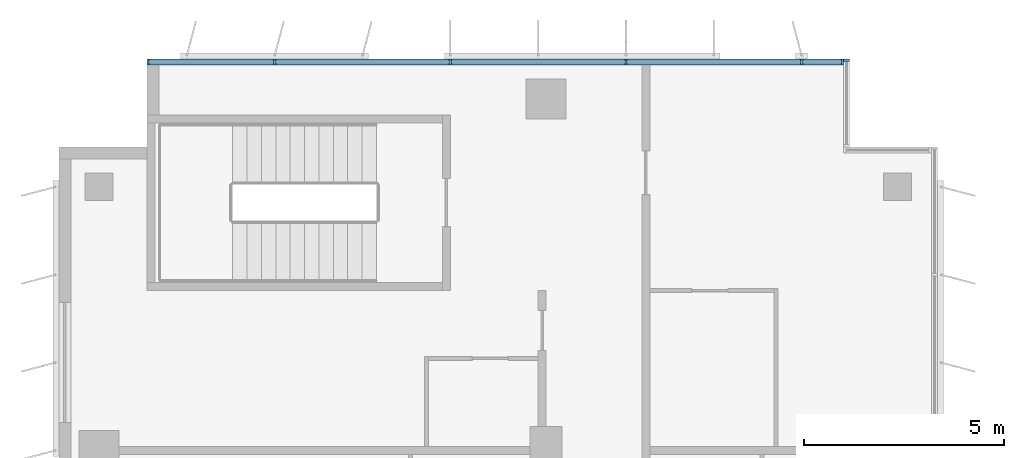
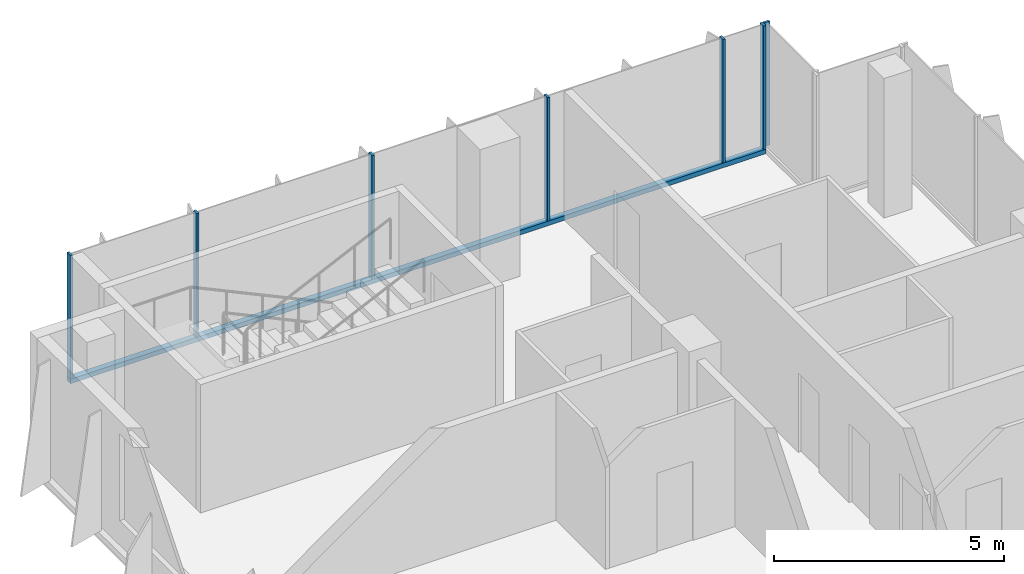
# One storey, part 9 of 21: 8 members, 2 elements without a shape of their own.
"""IFC4 building model written with IfcOpenShell, lengths in metres."""

from ifc_helpers import new_model, si_unit, direction, frame, origin, origin_2d, place, context, subcontext, project, spatial, rectangle, extrude, source, transform, mapped, material, material_profile, profile_set, type_object, element, aggregate, save


model = new_model("IFC4")

# Units and contexts
model_context = context("Model", 3, precision=1e-05, world=origin(), true_north=direction((0.0, 1.0)))
body_context = subcontext(model_context, "Body", "Model", "MODEL_VIEW")
ifc_project = project(units=[si_unit("LENGTHUNIT", "METRE"), si_unit("AREAUNIT", "SQUARE_METRE"), si_unit("VOLUMEUNIT", "CUBIC_METRE"), si_unit("PLANEANGLEUNIT", "RADIAN"), si_unit("MASSUNIT", "GRAM", prefix="KILO")], contexts=[model_context])

# Site, building, storey
site_placement = place(None, origin())
site = spatial("IfcSite", under=ifc_project, at=site_placement, CompositionType="ELEMENT")
building_placement = place(site_placement, origin())
building = spatial("IfcBuilding", under=site, at=building_placement, Name="Kemantara Hotel Tower", CompositionType="ELEMENT")
storey_placement = place(building_placement, frame((0.0, 0.0, 215.39990234375)))
storey = spatial("IfcBuildingStorey", under=building, at=storey_placement, Name="L53", CompositionType="ELEMENT", Elevation=215.39990234375)

# Curtain wall, members
ifc_material_1 = material(Name="Low-E tinted double insulated glass 36 mm", Category="glass")
curtain_wall_type = type_object("IfcCurtainWallType", Name="TOWER CURTAIN WALL, FRONT FACES", PredefinedType="USERDEFINED", material=ifc_material_1)
curtain_wall_1_placement = place(storey_placement, origin())
curtain_wall_1 = element("IfcCurtainWall", 1, at=curtain_wall_1_placement, inside=storey, type_object=curtain_wall_type, Name="CW4 L53 T3-R02-1", ObjectType="TOWER CURTAIN WALL, FRONT FACES", PredefinedType="USERDEFINED")
ifc_material_2 = material(Name="Aluminium 6063-T6 bronze anodised", Category="aluminium")
ifc_material_profile_1 = material_profile(ifc_material_2, rectangle(XDim=0.14990234375, YDim=0.1201171875, at=origin_2d()), Name="TOWER CURTAIN WALL, FRONT FACES TRANSOM")
ifc_profile_set_1 = profile_set([ifc_material_profile_1], Name="Aluminium 6063-T6 bronze anodised")
member_type_1 = type_object("IfcMemberType", Name="TOWER CURTAIN WALL, FRONT FACES TRANSOM", PredefinedType="USERDEFINED", material=ifc_profile_set_1)
member_1_placement = place(storey_placement, frame((19.64990234375, 63.52490234375, 0.06005859375), z_axis=(-1.0, 0.0, 0.0), x_axis=(0.0, -1.0, 0.0)))
member_1 = element("IfcMember", 2, at=member_1_placement, type_object=member_type_1, Name="CW4 sill transom T3-R02-1", ObjectType="TRANSOM", PredefinedType="USERDEFINED", context=body_context, shape_type="SweptSolid", body=[
    extrude(rectangle(XDim=0.14990234375, YDim=0.1201171875, at=origin_2d()), origin(), (0.0, 0.0, 1.0), 17.449951171875),
])
ifc_material_profile_2 = material_profile(ifc_material_2, rectangle(XDim=0.14990234375, YDim=0.06005859375, at=origin_2d()), Name="TOWER CURTAIN WALL, FRONT FACES MULLION")
ifc_profile_set_2 = profile_set([ifc_material_profile_2], Name="Aluminium 6063-T6 bronze anodised")
member_type_2 = type_object("IfcMemberType", Name="TOWER CURTAIN WALL, FRONT FACES MULLION", PredefinedType="MULLION", material=ifc_profile_set_2)
shared_shape = source(origin(), body_context, "Body", "SweptSolid", [
    extrude(rectangle(XDim=0.14990234375, YDim=0.06005859375, at=origin_2d()), origin(), (0.0, 0.0, 1.0), 3.280029296875),
])
member_2_placement = place(storey_placement, frame((19.6201171875, 63.52490234375, 0.1201171875), z_axis=(0.0, 0.0, 1.0), x_axis=(0.0, -1.0, 0.0)))
member_2 = element("IfcMember", 3, at=member_2_placement, type_object=member_type_2, Name="CW4 mullion T3-R02-1.1", PredefinedType="MULLION", context=body_context, shape_type="MappedRepresentation", body=[
    mapped(shared_shape, transform((0.0, 0.0, 0.0))),
])
member_3_placement = place(storey_placement, frame((18.60009765625, 63.52490234375, 0.1201171875), z_axis=(0.0, 0.0, 1.0), x_axis=(0.0, -1.0, 0.0)))
member_3 = element("IfcMember", 4, at=member_3_placement, type_object=member_type_2, Name="CW4 mullion T3-R02-1.2", PredefinedType="MULLION", context=body_context, shape_type="MappedRepresentation", body=[
    mapped(shared_shape, transform((0.0, 0.0, 0.0))),
])
member_4_placement = place(storey_placement, frame((14.199951171875, 63.52490234375, 0.1201171875), z_axis=(0.0, 0.0, 1.0), x_axis=(0.0, -1.0, 0.0)))
member_4 = element("IfcMember", 5, at=member_4_placement, type_object=member_type_2, Name="CW4 mullion T3-R02-1.3", PredefinedType="MULLION", context=body_context, shape_type="MappedRepresentation", body=[
    mapped(shared_shape, transform((0.0, 0.0, 0.0))),
])
member_5_placement = place(storey_placement, frame((9.800048828125, 63.52490234375, 0.1201171875), z_axis=(0.0, 0.0, 1.0), x_axis=(0.0, -1.0, 0.0)))
member_5 = element("IfcMember", 6, at=member_5_placement, type_object=member_type_2, Name="CW4 mullion T3-R02-1.4", PredefinedType="MULLION", context=body_context, shape_type="MappedRepresentation", body=[
    mapped(shared_shape, transform((0.0, 0.0, 0.0))),
])
member_6_placement = place(storey_placement, frame((5.39990234375, 63.52490234375, 0.1201171875), z_axis=(0.0, 0.0, 1.0), x_axis=(0.0, -1.0, 0.0)))
member_6 = element("IfcMember", 7, at=member_6_placement, type_object=member_type_2, Name="CW4 mullion T3-R02-1.5", PredefinedType="MULLION", context=body_context, shape_type="MappedRepresentation", body=[
    mapped(shared_shape, transform((0.0, 0.0, 0.0))),
])
member_7_placement = place(storey_placement, frame((2.22998046875, 63.52490234375, 0.1201171875), z_axis=(0.0, 0.0, 1.0), x_axis=(0.0, -1.0, 0.0)))
member_7 = element("IfcMember", 8, at=member_7_placement, type_object=member_type_2, Name="CW4 mullion T3-R02-1.6", PredefinedType="MULLION", context=body_context, shape_type="MappedRepresentation", body=[
    mapped(shared_shape, transform((0.0, 0.0, 0.0))),
])
aggregate(curtain_wall_1, [member_1, member_2, member_3, member_4, member_5, member_6, member_7])

# Curtain wall, member
curtain_wall_2_placement = place(storey_placement, origin())
curtain_wall_2 = element("IfcCurtainWall", 9, at=curtain_wall_2_placement, inside=storey, type_object=curtain_wall_type, Name="CW4 L53 T3-R01-1", ObjectType="TOWER CURTAIN WALL, FRONT FACES", PredefinedType="USERDEFINED")
member_8_placement = place(storey_placement, frame((19.72509765625, 63.570068359375, 0.1201171875), z_axis=(0.0, 0.0, 1.0), x_axis=(-1.0, 0.0, 0.0)))
member_8 = element("IfcMember", 10, at=member_8_placement, type_object=member_type_2, Name="CW4 mullion T3-R01-1.2", PredefinedType="MULLION", context=body_context, shape_type="MappedRepresentation", body=[
    mapped(shared_shape, transform((0.0, 0.0, 0.0))),
])
aggregate(curtain_wall_2, [member_8])

save(model, "model.ifc")
